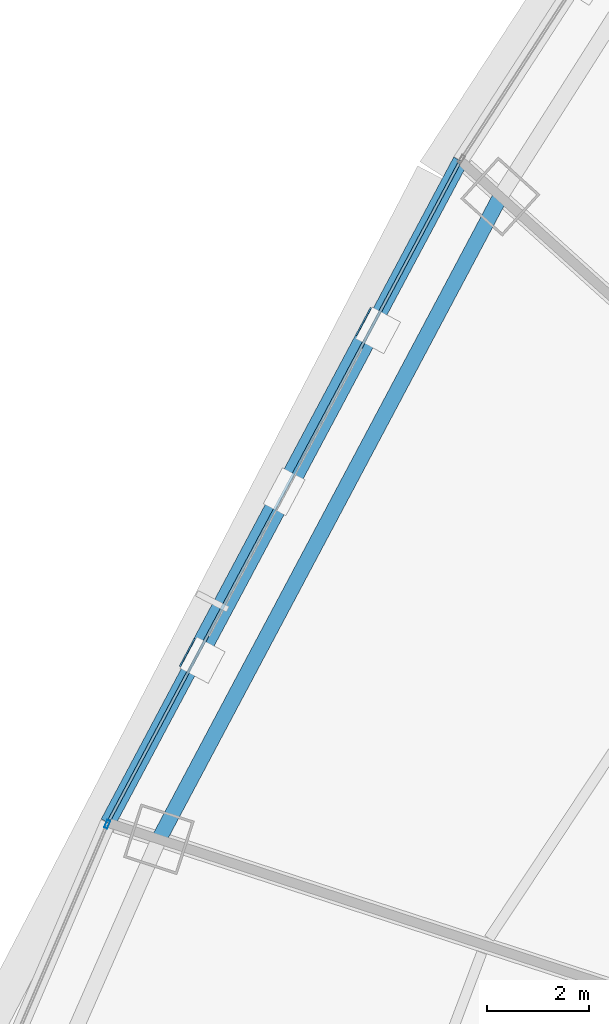
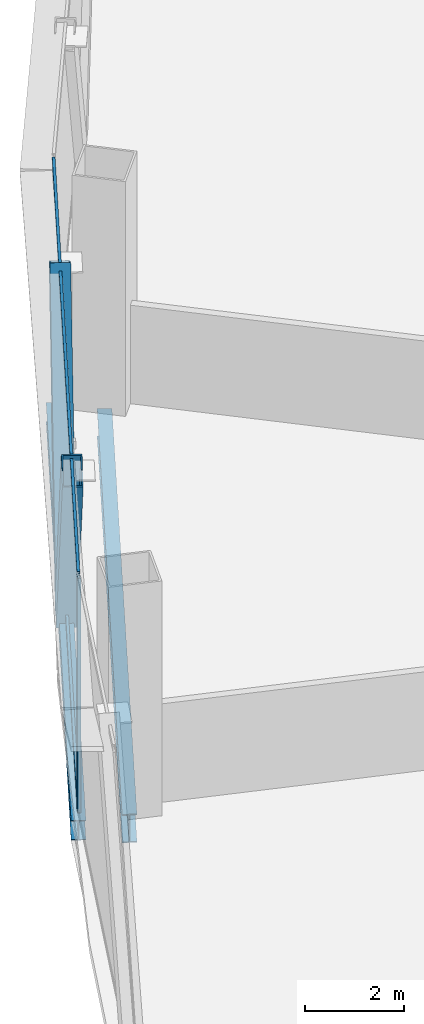
# One storey, part 14 of 41: 5 members, 2 beams, 2 elements without a shape of their own.
"""IFC4 building model written with IfcOpenShell, lengths in metres."""

from ifc_helpers import new_model, si_unit, direction, frame, origin, origin_2d, place, context, subcontext, project, spatial, hollow_rectangle, i_section, extrude, source, transform, mapped, material, layer, layer_set, material_profile, profile_set, type_object, element, aggregate, save


model = new_model("IFC4")

# Units and contexts
model_context = context("Model", 3, precision=1e-05, world=origin(), true_north=direction((0.0, 1.0)))
body_context = subcontext(model_context, "Body", "Model", "MODEL_VIEW")
ifc_project = project(units=[si_unit("LENGTHUNIT", "METRE"), si_unit("AREAUNIT", "SQUARE_METRE"), si_unit("VOLUMEUNIT", "CUBIC_METRE"), si_unit("PLANEANGLEUNIT", "RADIAN"), si_unit("MASSUNIT", "GRAM", prefix="KILO"), si_unit("THERMODYNAMICTEMPERATUREUNIT", "KELVIN"), si_unit("POWERUNIT", "WATT")], contexts=[model_context])

# Site, building, storey
site_placement = place(None, origin())
site = spatial("IfcSite", under=ifc_project, at=site_placement, CompositionType="ELEMENT")
building_placement = place(site_placement, origin())
building = spatial("IfcBuilding", under=site, at=building_placement, Name="Yunzhuo Pagoda Commons", CompositionType="ELEMENT")
storey_placement = place(building_placement, frame((0.0, 0.0, 70.330078125)))
storey = spatial("IfcBuildingStorey", under=building, at=storey_placement, Name="L18", CompositionType="ELEMENT", Elevation=70.330078125)

# Beams
ifc_material_1 = material(Name="Structural steel Q355B", Category="steel")
ifc_material_profile_1 = material_profile(ifc_material_1, i_section(OverallWidth=0.300048828125, OverallDepth=0.699951171875, WebThickness=0.012939453125, FlangeThickness=0.02392578125, at=origin_2d()), Name="Structural steel Q355B")
ifc_profile_set_1 = profile_set([ifc_material_profile_1], Name="Structural steel Q355B")
beam_type_1 = type_object("IfcBeamType", Name="B-RG1 Beam HN 700x300x13x24", PredefinedType="BEAM", material=ifc_profile_set_1)
shared_shape_1 = source(origin(), body_context, "Body", "SweptSolid", [
    extrude(i_section(OverallWidth=0.300048828125, OverallDepth=0.699951171875, WebThickness=0.012939453125, FlangeThickness=0.02392578125, at=origin_2d()), origin(), (0.0, 0.0, 1.0), 14.25390625),
])
beam_1_placement = place(storey_placement, frame((22.351318359375, 56.79443359375, -0.610107421875), z_axis=(-0.469118073628, -0.883135455633, 0.0), x_axis=(0.883135455633, -0.469118073628, 0.0)))
element("IfcBeam", 1, at=beam_1_placement, inside=storey, type_object=beam_type_1, Name="L18 column-ring beam 10", PredefinedType="BEAM", context=body_context, shape_type="MappedRepresentation", body=[
    mapped(shared_shape_1, transform((0.0, 0.0, 0.0), scale=1.0)),
])
ifc_material_profile_2 = material_profile(ifc_material_1, i_section(OverallWidth=0.300048828125, OverallDepth=0.488037109375, WebThickness=0.010986328125, FlangeThickness=0.01806640625, at=origin_2d()), Name="Structural steel Q355B")
ifc_profile_set_2 = profile_set([ifc_material_profile_2], Name="Structural steel Q355B")
beam_type_2 = type_object("IfcBeamType", Name="B-SP1 Beam HM 488x300x11x18", PredefinedType="BEAM", material=ifc_profile_set_2)
shared_shape_2 = source(origin(), body_context, "Body", "SweptSolid", [
    extrude(i_section(OverallWidth=0.300048828125, OverallDepth=0.488037109375, WebThickness=0.010986328125, FlangeThickness=0.01806640625, at=origin_2d()), origin(), (0.0, 0.0, 1.0), 14.68994140625),
])
beam_2_placement = place(storey_placement, frame((21.571044921875, 57.496826171875, -0.504150390625), z_axis=(-0.470054191836, -0.882637556836, 0.0), x_axis=(0.882637556836, -0.470054191836, 0.0)))
element("IfcBeam", 2, at=beam_2_placement, inside=storey, type_object=beam_type_2, Name="L18 facade edge spandrel beam F3.2", PredefinedType="BEAM", context=body_context, shape_type="MappedRepresentation", body=[
    mapped(shared_shape_2, transform((0.0, 0.0, 0.0), scale=1.0)),
])

# Members
ifc_material_2 = material(Name="Structural steel Q420B", Category="steel")
ifc_material_profile_3 = material_profile(ifc_material_2, hollow_rectangle(XDim=0.419921875, YDim=0.719970703125, WallThickness=0.028076171875, at=origin_2d()), Name="Structural steel Q420B")
ifc_profile_set_3 = profile_set([ifc_material_profile_3], Name="Structural steel Q420B")
member_type_1 = type_object("IfcMemberType", Name="M-DL1 Brace BOX 720x420x28", PredefinedType="BRACE", material=ifc_profile_set_3)
shared_shape_3 = source(origin(), body_context, "Body", "SweptSolid", [
    extrude(hollow_rectangle(XDim=0.419921875, YDim=0.719970703125, WallThickness=0.028076171875, at=origin_2d()), origin(), (0.0, 0.0, 1.0), 7.060302734375),
])
for number, where, z_axis, x_axis, name in (
    (3, (18.118408203125, 51.013916015625, -0.260009765625), (0.244509095353, 0.459107235046, 0.854070166332), (-0.882630661501, 0.470067139224, 0.0), "L18 facade diamond brace F3.2L"),
    (4, (18.118408203125, 51.013916015625, -0.260009765625), (-0.244509095353, -0.459107235046, 0.854070166332), (0.882630661501, -0.470067139224, 0.0), "L18 facade diamond brace F3.2R"),
):
    element("IfcMember", number, at=place(storey_placement, frame(where, z_axis=z_axis, x_axis=x_axis)), inside=storey, type_object=member_type_1, Name=name, PredefinedType="BRACE", context=body_context, shape_type="MappedRepresentation", body=[
        mapped(shared_shape_3, transform((0.0, 0.0, 0.0), scale=1.0)),
    ])

# Curtain wall, members
ifc_material_3 = material(Name="Anodized aluminium 6063-T6", Category="aluminium")
ifc_layer = layer(ifc_material_3, 0.1650390625)
ifc_layer_set = layer_set([ifc_layer], Name="Anodized aluminium 6063-T6")
curtain_wall_type = type_object("IfcCurtainWallType", Name="CW-LOW Low-Zone Ribbon Curtain Wall", PredefinedType="NOTDEFINED", material=ifc_layer_set)
curtain_wall_1_placement = place(storey_placement, origin())
curtain_wall_1 = element("IfcCurtainWall", 5, at=curtain_wall_1_placement, inside=storey, type_object=curtain_wall_type, Name="L18 curtain wall CW-L18-F3B3", PredefinedType="NOTDEFINED")
ifc_material_profile_4 = material_profile(ifc_material_3, hollow_rectangle(XDim=0.06005859375, YDim=0.139892578125, WallThickness=0.00341796875, at=origin_2d()), Name="Anodized aluminium 6063-T6")
ifc_profile_set_4 = profile_set([ifc_material_profile_4], Name="Anodized aluminium 6063-T6")
member_type_2 = type_object("IfcMemberType", Name="CW-LOW-T Transom RHS 140x60x3.5", PredefinedType="USERDEFINED", material=ifc_profile_set_4)
shared_shape_4 = source(origin(), body_context, "Body", "SweptSolid", [
    extrude(hollow_rectangle(XDim=0.06005859375, YDim=0.139892578125, WallThickness=0.00341796875, at=origin_2d()), origin(), (0.0, 0.0, 1.0), 14.559814453125),
])
member_1_placement = place(storey_placement, frame((21.54052734375, 57.439453125, 0.030029296875), z_axis=(-0.470058129853, -0.882635459609, 0.0), x_axis=(0.882635459609, -0.470058129853, 0.0)))
member_1 = element("IfcMember", 6, at=member_1_placement, type_object=member_type_2, Name="CW transom 1.1", ObjectType="TRANSOM", PredefinedType="USERDEFINED", context=body_context, shape_type="MappedRepresentation", body=[
    mapped(shared_shape_4, transform((0.0, 0.0, 0.0), scale=1.0)),
])
member_2_placement = place(storey_placement, frame((21.54052734375, 57.439453125, 5.739990234375), z_axis=(-0.470058129853, -0.882635459609, 0.0), x_axis=(0.882635459609, -0.470058129853, 0.0)))
member_2 = element("IfcMember", 7, at=member_2_placement, type_object=member_type_2, Name="CW transom 1.2", ObjectType="TRANSOM", PredefinedType="USERDEFINED", context=body_context, shape_type="MappedRepresentation", body=[
    mapped(shared_shape_4, transform((0.0, 0.0, 0.0), scale=1.0)),
])
aggregate(curtain_wall_1, [member_1, member_2])

# Curtain wall, member
curtain_wall_2_placement = place(storey_placement, origin())
curtain_wall_2 = element("IfcCurtainWall", 8, at=curtain_wall_2_placement, inside=storey, type_object=curtain_wall_type, Name="L18 curtain wall CW-L18-F3B4", PredefinedType="NOTDEFINED")
ifc_material_profile_5 = material_profile(ifc_material_3, hollow_rectangle(XDim=0.06494140625, YDim=0.1650390625, WallThickness=0.00390625, at=origin_2d()), Name="Anodized aluminium 6063-T6")
ifc_profile_set_5 = profile_set([ifc_material_profile_5], Name="Anodized aluminium 6063-T6")
member_type_3 = type_object("IfcMemberType", Name="CW-LOW-M Mullion RHS 165x65x4", PredefinedType="MULLION", material=ifc_profile_set_5)
shared_shape_5 = source(origin(), body_context, "Body", "SweptSolid", [
    extrude(hollow_rectangle(XDim=0.06494140625, YDim=0.1650390625, WallThickness=0.00390625, at=origin_2d()), origin(), (0.0, 0.0, 1.0), 5.77001953125),
])
member_3_placement = place(storey_placement, frame((14.653076171875, 44.5009765625, 0.0), z_axis=(0.0, 0.0, 1.0), x_axis=(0.919121093161, -0.39397514656, 0.0)))
member_3 = element("IfcMember", 9, at=member_3_placement, type_object=member_type_3, Name="CW mullion 1", PredefinedType="MULLION", context=body_context, shape_type="MappedRepresentation", body=[
    mapped(shared_shape_5, transform((0.0, 0.0, 0.0), scale=1.0)),
])
aggregate(curtain_wall_2, [member_3])

save(model, "model.ifc")
